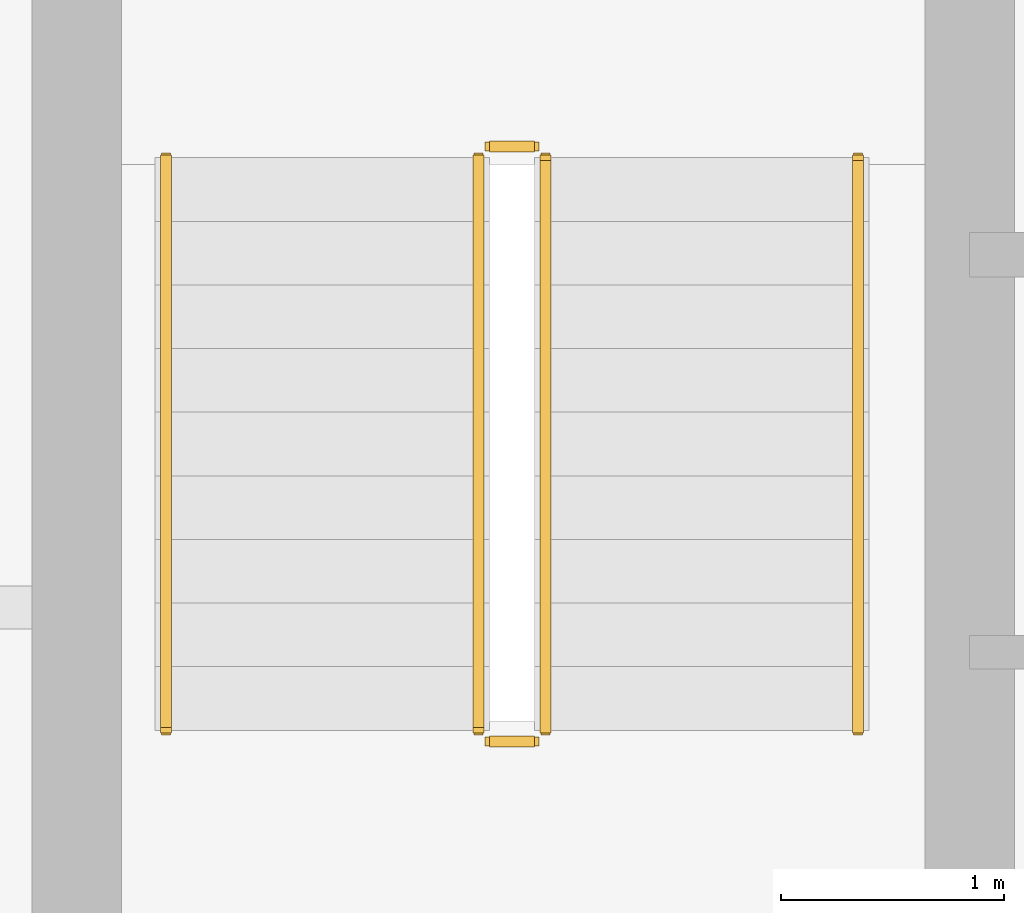
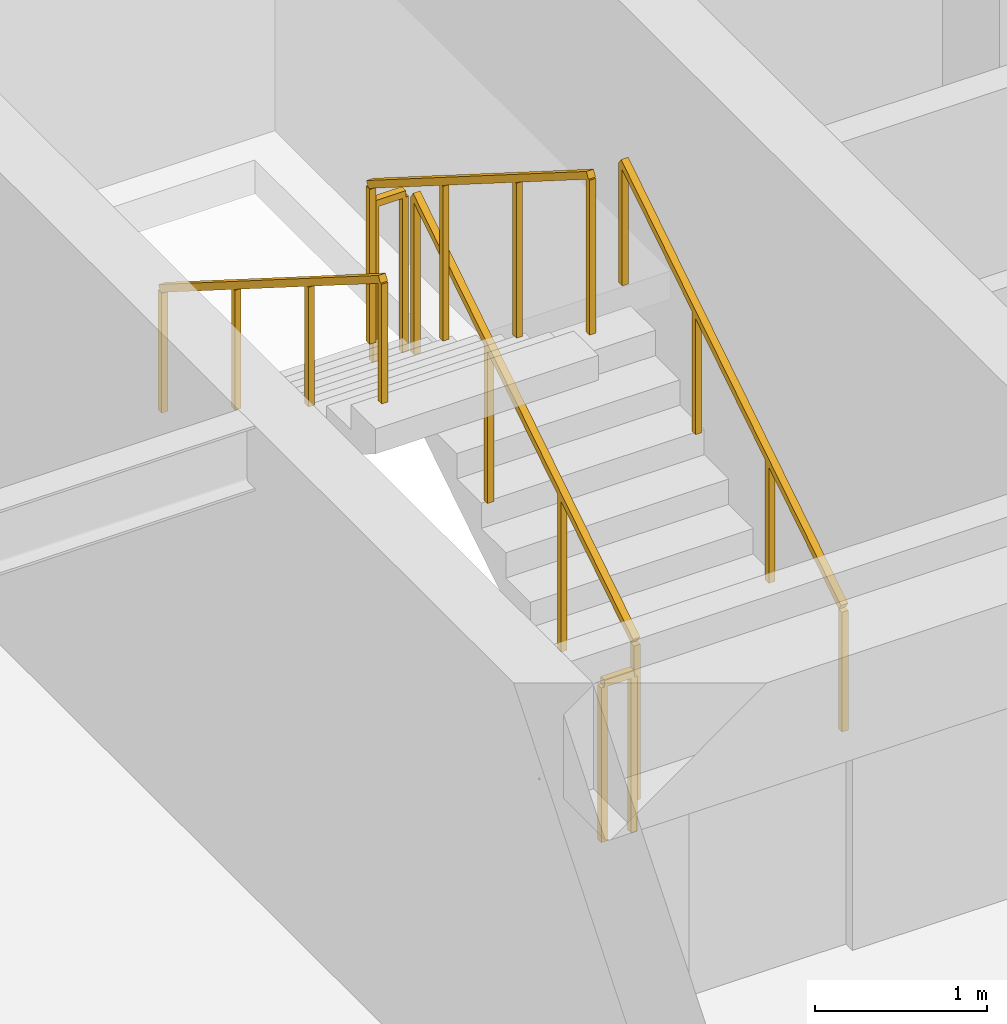
# One storey, part 21 of 23: 6 railings.
"""IFC4 building model written with IfcOpenShell, lengths in metres."""

from ifc_helpers import new_model, si_unit, direction, frame, origin, origin_2d, place, context, subcontext, project, spatial, rectangle, extrude, material, type_object, element, save


model = new_model("IFC4")

# Units and contexts
model_context = context("Model", 3, precision=1e-05, world=origin(), true_north=direction((0.0, 1.0)))
body_context = subcontext(model_context, "Body", "Model", "MODEL_VIEW")
ifc_project = project(units=[si_unit("LENGTHUNIT", "METRE"), si_unit("AREAUNIT", "SQUARE_METRE"), si_unit("VOLUMEUNIT", "CUBIC_METRE"), si_unit("PLANEANGLEUNIT", "RADIAN"), si_unit("MASSUNIT", "GRAM", prefix="KILO")], contexts=[model_context])

# Site, building, storey
site_placement = place(None, origin())
site = spatial("IfcSite", under=ifc_project, at=site_placement, CompositionType="ELEMENT")
building_placement = place(site_placement, origin())
building = spatial("IfcBuilding", under=site, at=building_placement, Name="Sarneth Arch Tower", CompositionType="ELEMENT")
storey_placement = place(building_placement, frame((0.0, 0.0, 224.39990234375)))
storey = spatial("IfcBuildingStorey", under=building, at=storey_placement, Name="L57", CompositionType="ELEMENT", Elevation=224.39990234375)

# Railings
ifc_material_1 = material(Name="Brushed Stainless Steel 304 tubular handrail", Category="steel")
railing_type_1 = type_object("IfcRailingType", Name="RAIL-HANDRAIL-900", PredefinedType="HANDRAIL", material=ifc_material_1)
railing_1_placement = place(storey_placement, frame((40.5, 41.449951171875, 0.18017578125)))
element("IfcRailing", 1, at=railing_1_placement, inside=storey, type_object=railing_type_1, Name="L57 ST-1 stair handrail 1", PredefinedType="HANDRAIL", context=body_context, shape_type="SweptSolid", body=[
    extrude(rectangle(XDim=0.048095703125, YDim=0.048095703125, at=origin_2d()), frame((0.0, 0.0, 0.8759765625), z_axis=(0.0, 0.845502289212, 0.533971796014), x_axis=(-1.0, 0.0, 0.0)), (0.0, 0.0, 1.0), 3.03369140625),
    extrude(rectangle(XDim=0.0419921875, YDim=0.0419921875, at=origin_2d()), origin(), (0.0, 0.0, 1.0), 0.851806640625),
    extrude(rectangle(XDim=0.0419921875, YDim=0.0419921875, at=origin_2d()), frame((0.0, 0.85498046875, 0.5400390625)), (0.0, 0.0, 1.0), 0.851806640625),
    extrude(rectangle(XDim=0.0419921875, YDim=0.0419921875, at=origin_2d()), frame((0.0, 1.7099609375, 1.079833984375)), (0.0, 0.0, 1.0), 0.851806640625),
    extrude(rectangle(XDim=0.0419921875, YDim=0.0419921875, at=origin_2d()), frame((0.0, 2.56494140625, 1.619873046875)), (0.0, 0.0, 1.0), 0.851806640625),
])
railing_2_placement = place(storey_placement, frame((37.39990234375, 44.014892578125, 1.97998046875)))
element("IfcRailing", 2, at=railing_2_placement, inside=storey, type_object=railing_type_1, Name="L57 ST-1 stair handrail 2", PredefinedType="HANDRAIL", context=body_context, shape_type="SweptSolid", body=[
    extrude(rectangle(XDim=0.048095703125, YDim=0.048095703125, at=origin_2d()), frame((0.0, 0.0, 0.8759765625), z_axis=(0.0, -0.845465955043, 0.534029323973), x_axis=(1.0, 0.0, 0.0)), (0.0, 0.0, 1.0), 3.03369140625),
    extrude(rectangle(XDim=0.0419921875, YDim=0.0419921875, at=origin_2d()), origin(), (0.0, 0.0, 1.0), 0.851806640625),
    extrude(rectangle(XDim=0.0419921875, YDim=0.0419921875, at=origin_2d()), frame((0.0, -0.85498046875, 0.5400390625)), (0.0, 0.0, 1.0), 0.851806640625),
    extrude(rectangle(XDim=0.0419921875, YDim=0.0419921875, at=origin_2d()), frame((0.0, -1.7099609375, 1.080078125)), (0.0, 0.0, 1.0), 0.851806640625),
    extrude(rectangle(XDim=0.0419921875, YDim=0.0419921875, at=origin_2d()), frame((0.0, -2.56494140625, 1.6201171875)), (0.0, 0.0, 1.0), 0.851806640625),
])
ifc_material_2 = material(Name="Painted Steel S275 stair well guard", Category="steel")
railing_type_2 = type_object("IfcRailingType", Name="RAIL-STAIR-GUARD", PredefinedType="GUARDRAIL", material=ifc_material_2)
railing_3_placement = place(storey_placement, frame((39.10009765625, 41.449951171875, 0.18017578125)))
element("IfcRailing", 3, at=railing_3_placement, inside=storey, type_object=railing_type_2, Name="L57 ST-1 stair guard 1", PredefinedType="GUARDRAIL", context=body_context, shape_type="SweptSolid", body=[
    extrude(rectangle(XDim=0.048095703125, YDim=0.048095703125, at=origin_2d()), frame((0.0, 0.0, 1.1259765625), z_axis=(0.0, 0.845502289212, 0.533971796014), x_axis=(-1.0, 0.0, 0.0)), (0.0, 0.0, 1.0), 3.03369140625),
    extrude(rectangle(XDim=0.0419921875, YDim=0.0419921875, at=origin_2d()), origin(), (0.0, 0.0, 1.0), 1.101806640625),
    extrude(rectangle(XDim=0.0419921875, YDim=0.0419921875, at=origin_2d()), frame((0.0, 0.85498046875, 0.5400390625)), (0.0, 0.0, 1.0), 1.101806640625),
    extrude(rectangle(XDim=0.0419921875, YDim=0.0419921875, at=origin_2d()), frame((0.0, 1.7099609375, 1.079833984375)), (0.0, 0.0, 1.0), 1.101806640625),
    extrude(rectangle(XDim=0.0419921875, YDim=0.0419921875, at=origin_2d()), frame((0.0, 2.56494140625, 1.619873046875)), (0.0, 0.0, 1.0), 1.101806640625),
])
railing_4_placement = place(storey_placement, frame((39.050048828125, 44.06494140625, 1.800048828125)))
element("IfcRailing", 4, at=railing_4_placement, inside=storey, type_object=railing_type_2, Name="L57 ST-1 stair guard 2", PredefinedType="GUARDRAIL", context=body_context, shape_type="SweptSolid", body=[
    extrude(rectangle(XDim=0.048095703125, YDim=0.048095703125, at=origin_2d()), frame((0.0, 0.0, 1.1259765625), z_axis=(-1.0, 0.0, 0.0), x_axis=(0.0, -1.0, 0.0)), (0.0, 0.0, 1.0), 0.199951171875),
    extrude(rectangle(XDim=0.0419921875, YDim=0.0419921875, at=origin_2d()), origin(), (0.0, 0.0, 1.0), 1.101806640625),
    extrude(rectangle(XDim=0.0419921875, YDim=0.0419921875, at=origin_2d()), frame((-0.199951171875, 0.0, 0.0)), (0.0, 0.0, 1.0), 1.101806640625),
])
railing_5_placement = place(storey_placement, frame((38.800048828125, 44.014892578125, 1.97998046875)))
element("IfcRailing", 5, at=railing_5_placement, inside=storey, type_object=railing_type_2, Name="L57 ST-1 stair guard 3", PredefinedType="GUARDRAIL", context=body_context, shape_type="SweptSolid", body=[
    extrude(rectangle(XDim=0.048095703125, YDim=0.048095703125, at=origin_2d()), frame((0.0, 0.0, 1.1259765625), z_axis=(0.0, -0.845465955043, 0.534029323973), x_axis=(1.0, 0.0, 0.0)), (0.0, 0.0, 1.0), 3.03369140625),
    extrude(rectangle(XDim=0.0419921875, YDim=0.0419921875, at=origin_2d()), origin(), (0.0, 0.0, 1.0), 1.101806640625),
    extrude(rectangle(XDim=0.0419921875, YDim=0.0419921875, at=origin_2d()), frame((0.0, -0.85498046875, 0.5400390625)), (0.0, 0.0, 1.0), 1.101806640625),
    extrude(rectangle(XDim=0.0419921875, YDim=0.0419921875, at=origin_2d()), frame((0.0, -1.7099609375, 1.080078125)), (0.0, 0.0, 1.0), 1.101806640625),
    extrude(rectangle(XDim=0.0419921875, YDim=0.0419921875, at=origin_2d()), frame((0.0, -2.56494140625, 1.6201171875)), (0.0, 0.0, 1.0), 1.101806640625),
])
railing_6_placement = place(storey_placement, frame((39.050048828125, 41.39990234375, 0.0)))
element("IfcRailing", 6, at=railing_6_placement, inside=storey, type_object=railing_type_2, Name="L57 ST-1 stair guard 4", PredefinedType="GUARDRAIL", context=body_context, shape_type="SweptSolid", body=[
    extrude(rectangle(XDim=0.048095703125, YDim=0.048095703125, at=origin_2d()), frame((0.0, 0.0, 1.1259765625), z_axis=(-1.0, 0.0, 0.0), x_axis=(0.0, -1.0, 0.0)), (0.0, 0.0, 1.0), 0.199951171875),
    extrude(rectangle(XDim=0.0419921875, YDim=0.0419921875, at=origin_2d()), origin(), (0.0, 0.0, 1.0), 1.101806640625),
    extrude(rectangle(XDim=0.0419921875, YDim=0.0419921875, at=origin_2d()), frame((-0.199951171875, 0.0, 0.0)), (0.0, 0.0, 1.0), 1.101806640625),
])

save(model, "model.ifc")
